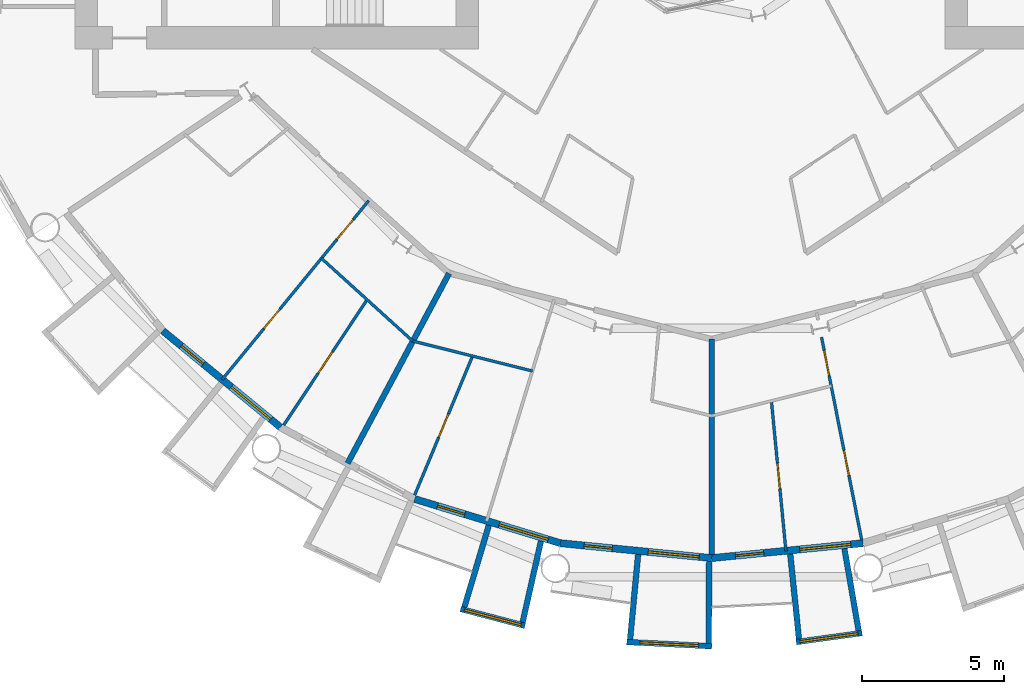
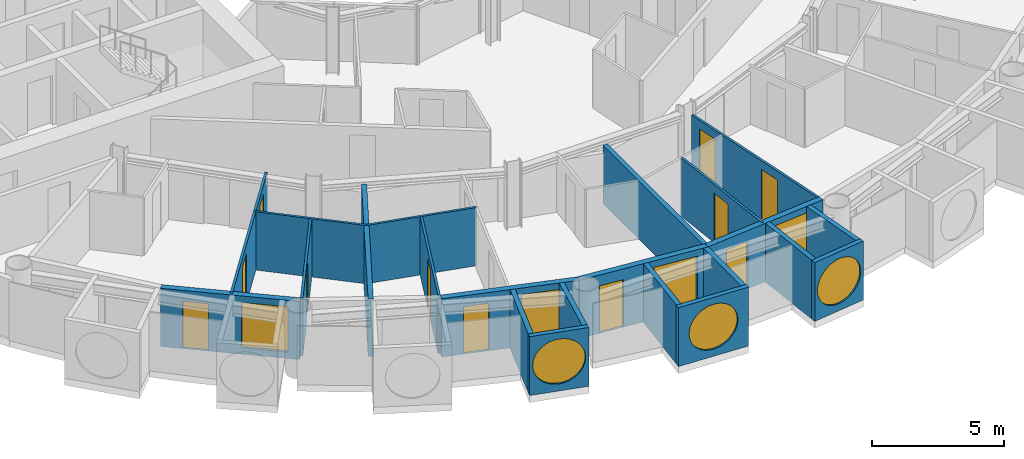
# One storey, part 13 of 26: 22 walls, 11 doors, 7 windows, 18 openings.
"""IFC4 building model written with IfcOpenShell, lengths in metres."""

from ifc_helpers import new_model, si_unit, direction, frame, frame_2d, origin, place, context, subcontext, project, spatial, rectangle, circle, extrude, material, layer, layer_set, type_object, element, fill, save


model = new_model("IFC4")

# Units and contexts
model_context = context("Model", 3, precision=1e-05, world=origin(), true_north=direction((0.0, 1.0)))
body_context = subcontext(model_context, "Body", "Model", "MODEL_VIEW")
ifc_project = project(units=[si_unit("LENGTHUNIT", "METRE"), si_unit("AREAUNIT", "SQUARE_METRE"), si_unit("VOLUMEUNIT", "CUBIC_METRE"), si_unit("PLANEANGLEUNIT", "RADIAN"), si_unit("MASSUNIT", "GRAM", prefix="KILO")], contexts=[model_context])

# Site, building, storey
site_placement = place(None, origin())
site = spatial("IfcSite", under=ifc_project, at=site_placement, CompositionType="ELEMENT")
building_placement = place(site_placement, origin())
building = spatial("IfcBuilding", under=site, at=building_placement, Name="Maasbend Ring Residences", CompositionType="ELEMENT")
storey_placement = place(building_placement, frame((0.0, 0.0, 31.949951171875)))
storey = spatial("IfcBuildingStorey", under=building, at=storey_placement, Name="L08", CompositionType="ELEMENT", Elevation=31.949951171875)

# Wall, opening, window
ifc_material_1 = material(Name="Pale anodised aluminium panel", Category="aluminium")
ifc_layer_1 = layer(ifc_material_1, 0.199951171875)
ifc_layer_set_1 = layer_set([ifc_layer_1], Name="EW-BOX")
wall_type_1 = type_object("IfcWallType", Name="EW-BOX", PredefinedType="SOLIDWALL", material=ifc_layer_set_1)
wall_1_placement = place(storey_placement, frame((-8.827880859375, -29.090087890625, -0.030029296875), z_axis=(0.0, 0.0, 1.0), x_axis=(0.967377102346, -0.253340762326, 0.0)))
wall_1 = element("IfcWall", 1, at=wall_1_placement, inside=storey, type_object=wall_type_1, Name="Box front S08", PredefinedType="SOLIDWALL", context=body_context, shape_type="SweptSolid", body=[
    extrude(rectangle(XDim=2.3359375, YDim=0.199951171875, at=frame_2d((1.16796875, 0.0))), origin(), (0.0, 0.0, 1.0), 2.72998046875),
])
opening_1_placement = place(wall_1_placement, frame((0.128173828125, 0.0, 0.330078125)))
opening_1 = element("IfcOpeningElement", 2, at=opening_1_placement, cuts=wall_1, Name="Opening W-RD", PredefinedType="OPENING", context=body_context, shape_type="SweptSolid", body=[
    extrude(circle(Radius=1.0400390625, at=frame_2d((1.0400390625, 1.0400390625))), frame((0.0, 0.10986328125, 0.0), z_axis=(0.0, -1.0, 0.0), x_axis=(1.0, 0.0, 0.0)), (0.0, 0.0, 1.0), 0.219970703125),
])
ifc_material_2 = material(Name="Aluminium and clear glass", Category="aluminium")
window_type_1 = type_object("IfcWindowType", Name="W-RD", PartitioningType="SINGLE_PANEL", PredefinedType="WINDOW", material=ifc_material_2)
window_1_placement = place(opening_1_placement, origin())
window_1 = element("IfcWindow", 3, at=window_1_placement, inside=storey, type_object=window_type_1, Name="Round window S08", OverallHeight=2.080078125, OverallWidth=2.080078125, PartitioningType="SINGLE_PANEL", PredefinedType="WINDOW", context=body_context, shape_type="SweptSolid", body=[
    extrude(circle(Radius=1.0400390625, at=frame_2d((1.0400390625, 1.0400390625))), frame((0.0, 0.030029296875, 0.0), z_axis=(0.0, -1.0, 0.0), x_axis=(1.0, 0.0, 0.0)), (0.0, 0.0, 1.0), 0.06005859375),
])
fill(opening_1, window_1)

# Walls
wall_2_placement = place(storey_placement, frame((-7.8369140625, -26.14404296875, -0.030029296875), z_axis=(0.0, 0.0, 1.0), x_axis=(-0.287064767992, -0.957911174889, 0.0)))
element("IfcWall", 4, at=wall_2_placement, inside=storey, type_object=wall_type_1, Name="Box side wall S08 left", PredefinedType="SOLIDWALL", context=body_context, shape_type="SweptSolid", body=[
    extrude(rectangle(XDim=3.00634765625, YDim=0.199951171875, at=frame_2d((1.503173828125, 0.0))), origin(), (0.0, 0.0, 1.0), 2.72998046875),
])
wall_3_placement = place(storey_placement, frame((-6.00390625, -26.699951171875, -0.030029296875), z_axis=(0.0, 0.0, 1.0), x_axis=(-0.219609259383, -0.975587911566, 0.0)))
element("IfcWall", 5, at=wall_3_placement, inside=storey, type_object=wall_type_1, Name="Box side wall S08 right", PredefinedType="SOLIDWALL", context=body_context, shape_type="SweptSolid", body=[
    extrude(rectangle(XDim=2.9326171875, YDim=0.199951171875, at=frame_2d((1.46630859375, 0.0))), origin(), (0.0, 0.0, 1.0), 2.72998046875),
])

# Wall, opening, window
wall_4_placement = place(storey_placement, frame((-2.985107421875, -30.2529296875, -0.030029296875), z_axis=(0.0, 0.0, 1.0), x_axis=(0.998794083011, -0.049095618353, 0.0)))
wall_4 = element("IfcWall", 6, at=wall_4_placement, inside=storey, type_object=wall_type_1, Name="Box front S10", PredefinedType="SOLIDWALL", context=body_context, shape_type="SweptSolid", body=[
    extrude(rectangle(XDim=2.99365234375, YDim=0.199951171875, at=frame_2d((1.496826171875, 0.0))), origin(), (0.0, 0.0, 1.0), 2.72998046875),
])
opening_2_placement = place(wall_4_placement, frame((0.45654296875, 0.0, 0.330078125)))
opening_2 = element("IfcOpeningElement", 7, at=opening_2_placement, cuts=wall_4, Name="Opening W-RD", PredefinedType="OPENING", context=body_context, shape_type="SweptSolid", body=[
    extrude(circle(Radius=1.0400390625, at=frame_2d((1.0400390625, 1.0400390625))), frame((0.0, 0.10986328125, 0.0), z_axis=(0.0, -1.0, 0.0), x_axis=(1.0, 0.0, 0.0)), (0.0, 0.0, 1.0), 0.219970703125),
])
window_2_placement = place(opening_2_placement, origin())
window_2 = element("IfcWindow", 8, at=window_2_placement, inside=storey, type_object=window_type_1, Name="Round window S10", OverallHeight=2.080078125, OverallWidth=2.080078125, PartitioningType="SINGLE_PANEL", PredefinedType="WINDOW", context=body_context, shape_type="SweptSolid", body=[
    extrude(circle(Radius=1.0400390625, at=frame_2d((1.0400390625, 1.0400390625))), frame((0.0, 0.030029296875, 0.0), z_axis=(0.0, -1.0, 0.0), x_axis=(1.0, 0.0, 0.0)), (0.0, 0.0, 1.0), 0.06005859375),
])
fill(opening_2, window_2)

# Walls
wall_5_placement = place(storey_placement, frame((-2.5859375, -27.1708984375, -0.030029296875), z_axis=(0.0, 0.0, 1.0), x_axis=(-0.094548432284, -0.995520262954, 0.0)))
element("IfcWall", 9, at=wall_5_placement, inside=storey, type_object=wall_type_1, Name="Box side wall S10 left", PredefinedType="SOLIDWALL", context=body_context, shape_type="SweptSolid", body=[
    extrude(rectangle(XDim=3.005615234375, YDim=0.199951171875, at=frame_2d((1.5029296875, 0.0))), origin(), (0.0, 0.0, 1.0), 2.72998046875),
])
wall_6_placement = place(storey_placement, frame((-0.090087890625, -27.4169921875, -0.030029296875), z_axis=(0.0, 0.0, 1.0), x_axis=(-0.00347308367, -0.999993968827, 0.0)))
element("IfcWall", 10, at=wall_6_placement, inside=storey, type_object=wall_type_1, Name="Box side wall S10 right", PredefinedType="SOLIDWALL", context=body_context, shape_type="SweptSolid", body=[
    extrude(rectangle(XDim=2.882080078125, YDim=0.199951171875, at=frame_2d((1.44091796875, 0.0))), origin(), (0.0, 0.0, 1.0), 2.72998046875),
])

# Wall, opening, window
wall_7_placement = place(storey_placement, frame((2.97607421875, -30.25390625, -0.030029296875), z_axis=(0.0, 0.0, 1.0), x_axis=(0.990696111261, 0.136092671119, 0.0)))
wall_7 = element("IfcWall", 11, at=wall_7_placement, inside=storey, type_object=wall_type_1, Name="Box front S12", PredefinedType="SOLIDWALL", context=body_context, shape_type="SweptSolid", body=[
    extrude(rectangle(XDim=2.335693359375, YDim=0.199951171875, at=frame_2d((1.16796875, 0.0))), origin(), (0.0, 0.0, 1.0), 2.72998046875),
])
opening_3_placement = place(wall_7_placement, frame((0.128173828125, 0.0, 0.330078125)))
opening_3 = element("IfcOpeningElement", 12, at=opening_3_placement, cuts=wall_7, Name="Opening W-RD", PredefinedType="OPENING", context=body_context, shape_type="SweptSolid", body=[
    extrude(circle(Radius=1.0400390625, at=frame_2d((1.0400390625, 1.0400390625))), frame((0.0, 0.10986328125, 0.0), z_axis=(0.0, -1.0, 0.0), x_axis=(1.0, 0.0, 0.0)), (0.0, 0.0, 1.0), 0.219970703125),
])
window_3_placement = place(opening_3_placement, origin())
window_3 = element("IfcWindow", 13, at=window_3_placement, inside=storey, type_object=window_type_1, Name="Round window S12", OverallHeight=2.080078125, OverallWidth=2.080078125, PartitioningType="SINGLE_PANEL", PredefinedType="WINDOW", context=body_context, shape_type="SweptSolid", body=[
    extrude(circle(Radius=1.0400390625, at=frame_2d((1.0400390625, 1.0400390625))), frame((0.0, 0.030029296875, 0.0), z_axis=(0.0, -1.0, 0.0), x_axis=(1.0, 0.0, 0.0)), (0.0, 0.0, 1.0), 0.06005859375),
])
fill(opening_3, window_3)

# Walls
wall_8_placement = place(storey_placement, frame((2.763916015625, -27.153076171875, -0.030029296875), z_axis=(0.0, 0.0, 1.0), x_axis=(0.101505487237, -0.994834979311, 0.0)))
element("IfcWall", 14, at=wall_8_placement, inside=storey, type_object=wall_type_1, Name="Box side wall S12 left", PredefinedType="SOLIDWALL", context=body_context, shape_type="SweptSolid", body=[
    extrude(rectangle(XDim=3.006591796875, YDim=0.199951171875, at=frame_2d((1.50341796875, 0.0))), origin(), (0.0, 0.0, 1.0), 2.72998046875),
])
wall_9_placement = place(storey_placement, frame((4.6708984375, -26.966064453125, -0.030029296875), z_axis=(0.0, 0.0, 1.0), x_axis=(0.170539878907, -0.985350774954, 0.0)))
element("IfcWall", 15, at=wall_9_placement, inside=storey, type_object=wall_type_1, Name="Box side wall S12 right", PredefinedType="SOLIDWALL", context=body_context, shape_type="SweptSolid", body=[
    extrude(rectangle(XDim=2.931884765625, YDim=0.199951171875, at=frame_2d((1.4658203125, 0.0))), origin(), (0.0, 0.0, 1.0), 2.72998046875),
])

# Wall, openings, door, window
ifc_material_3 = material(Name="Aluminium clad insulated panel", Category="aluminium")
ifc_layer_2 = layer(ifc_material_3, 0.25)
ifc_layer_set_2 = layer_set([ifc_layer_2], Name="EW-GL")
wall_type_2 = type_object("IfcWallType", Name="EW-GL", PredefinedType="SOLIDWALL", material=ifc_layer_set_2)
wall_10_placement = place(storey_placement, frame((-19.303955078125, -19.303955078125, 0.0), z_axis=(0.0, 0.0, 1.0), x_axis=(0.773019449054, -0.634382322723, 0.0)))
wall_10 = element("IfcWall", 16, at=wall_10_placement, inside=storey, type_object=wall_type_2, Name="External wall S02", PredefinedType="SOLIDWALL", context=body_context, shape_type="SweptSolid", body=[
    extrude(rectangle(XDim=5.351806640625, YDim=0.25, at=frame_2d((2.67578125, 0.0))), origin(), (0.0, 0.0, 1.0), 2.699951171875),
])
opening_4_placement = place(wall_10_placement, frame((0.841064453125, 0.0, 0.0)))
opening_4 = element("IfcOpeningElement", 17, at=opening_4_placement, cuts=wall_10, Name="Opening D-LG", PredefinedType="OPENING", context=body_context, shape_type="SweptSolid", body=[
    extrude(rectangle(XDim=1.0, YDim=2.199951171875, at=frame_2d((0.5, 1.10009765625))), frame((0.0, 0.135009765625, 0.0), z_axis=(0.0, -1.0, 0.0), x_axis=(1.0, 0.0, 0.0)), (0.0, 0.0, 1.0), 0.27001953125),
])
opening_5_placement = place(wall_10_placement, frame((3.110595703125, 0.0, 0.300048828125)))
opening_5 = element("IfcOpeningElement", 18, at=opening_5_placement, cuts=wall_10, Name="Opening W-BX", PredefinedType="OPENING", context=body_context, shape_type="SweptSolid", body=[
    extrude(rectangle(XDim=1.800048828125, YDim=2.10009765625, at=frame_2d((0.89990234375, 1.050048828125))), frame((0.0, 0.135009765625, 0.0), z_axis=(0.0, -1.0, 0.0), x_axis=(1.0, 0.0, 0.0)), (0.0, 0.0, 1.0), 0.27001953125),
])
ifc_material_4 = material(Name="Aluminium and clear glass", Category="aluminium")
door_type_1 = type_object("IfcDoorType", Name="D-LG", OperationType="SINGLE_SWING_LEFT", PredefinedType="DOOR", material=ifc_material_4)
door_1_placement = place(opening_4_placement, origin())
door_1 = element("IfcDoor", 19, at=door_1_placement, inside=storey, type_object=door_type_1, Name="Loggia door S03", OperationType="SINGLE_SWING_LEFT", OverallHeight=2.199951171875, OverallWidth=1.0, PredefinedType="DOOR", context=body_context, shape_type="SweptSolid", body=[
    extrude(rectangle(XDim=1.0, YDim=2.199951171875, at=frame_2d((0.5, 1.10009765625))), frame((0.0, 0.02490234375, 0.0), z_axis=(0.0, -1.0, 0.0), x_axis=(1.0, 0.0, 0.0)), (0.0, 0.0, 1.0), 0.050048828125),
])
fill(opening_4, door_1)
ifc_material_5 = material(Name="Aluminium and clear glass", Category="aluminium")
window_type_2 = type_object("IfcWindowType", Name="W-BX", PartitioningType="DOUBLE_PANEL_VERTICAL", PredefinedType="WINDOW", material=ifc_material_5)
window_4_placement = place(opening_5_placement, origin())
window_4 = element("IfcWindow", 20, at=window_4_placement, inside=storey, type_object=window_type_2, Name="Window S04 room to box", OverallHeight=2.10009765625, OverallWidth=1.800048828125, PartitioningType="SINGLE_PANEL", PredefinedType="WINDOW", context=body_context, shape_type="SweptSolid", body=[
    extrude(rectangle(XDim=1.800048828125, YDim=2.10009765625, at=frame_2d((0.89990234375, 1.050048828125))), frame((0.0, 0.030029296875, 0.0), z_axis=(0.0, -1.0, 0.0), x_axis=(1.0, 0.0, 0.0)), (0.0, 0.0, 1.0), 0.06005859375),
])
fill(opening_5, window_4)

wall_11_placement = place(storey_placement, frame((-10.447021484375, -25.221923828125, 0.0), z_axis=(0.0, 0.0, 1.0), x_axis=(0.956965678721, -0.290201119486, 0.0)))
wall_11 = element("IfcWall", 21, at=wall_11_placement, inside=storey, type_object=wall_type_2, Name="External wall S04", PredefinedType="SOLIDWALL", context=body_context, shape_type="SweptSolid", body=[
    extrude(rectangle(XDim=5.351318359375, YDim=0.25, at=frame_2d((2.67578125, 0.0))), origin(), (0.0, 0.0, 1.0), 2.699951171875),
])
opening_6_placement = place(wall_11_placement, frame((0.841064453125, 0.0, 0.0)))
opening_6 = element("IfcOpeningElement", 22, at=opening_6_placement, cuts=wall_11, Name="Opening D-LG", PredefinedType="OPENING", context=body_context, shape_type="SweptSolid", body=[
    extrude(rectangle(XDim=1.0, YDim=2.199951171875, at=frame_2d((0.5, 1.10009765625))), frame((0.0, 0.135009765625, 0.0), z_axis=(0.0, -1.0, 0.0), x_axis=(1.0, 0.0, 0.0)), (0.0, 0.0, 1.0), 0.27001953125),
])
opening_7_placement = place(wall_11_placement, frame((3.110595703125, 0.0, 0.300048828125)))
opening_7 = element("IfcOpeningElement", 23, at=opening_7_placement, cuts=wall_11, Name="Opening W-BX", PredefinedType="OPENING", context=body_context, shape_type="SweptSolid", body=[
    extrude(rectangle(XDim=1.800048828125, YDim=2.10009765625, at=frame_2d((0.89990234375, 1.050048828125))), frame((0.0, 0.135009765625, 0.0), z_axis=(0.0, -1.0, 0.0), x_axis=(1.0, 0.0, 0.0)), (0.0, 0.0, 1.0), 0.27001953125),
])
door_2_placement = place(opening_6_placement, origin())
door_2 = element("IfcDoor", 24, at=door_2_placement, inside=storey, type_object=door_type_1, Name="Loggia door S07", OperationType="SINGLE_SWING_LEFT", OverallHeight=2.199951171875, OverallWidth=1.0, PredefinedType="DOOR", context=body_context, shape_type="SweptSolid", body=[
    extrude(rectangle(XDim=1.0, YDim=2.199951171875, at=frame_2d((0.5, 1.10009765625))), frame((0.0, 0.02490234375, 0.0), z_axis=(0.0, -1.0, 0.0), x_axis=(1.0, 0.0, 0.0)), (0.0, 0.0, 1.0), 0.050048828125),
])
fill(opening_6, door_2)
window_5_placement = place(opening_7_placement, origin())
window_5 = element("IfcWindow", 25, at=window_5_placement, inside=storey, type_object=window_type_2, Name="Window S08 room to box", OverallHeight=2.10009765625, OverallWidth=1.800048828125, PartitioningType="SINGLE_PANEL", PredefinedType="WINDOW", context=body_context, shape_type="SweptSolid", body=[
    extrude(rectangle(XDim=1.800048828125, YDim=2.10009765625, at=frame_2d((0.89990234375, 1.050048828125))), frame((0.0, 0.030029296875, 0.0), z_axis=(0.0, -1.0, 0.0), x_axis=(1.0, 0.0, 0.0)), (0.0, 0.0, 1.0), 0.06005859375),
])
fill(opening_7, window_5)

wall_12_placement = place(storey_placement, frame((-5.325927734375, -26.77490234375, 0.0), z_axis=(0.0, 0.0, 1.0), x_axis=(0.995173996315, -0.098126026407, 0.0)))
wall_12 = element("IfcWall", 26, at=wall_12_placement, inside=storey, type_object=wall_type_2, Name="External wall S05", PredefinedType="SOLIDWALL", context=body_context, shape_type="SweptSolid", body=[
    extrude(rectangle(XDim=5.351806640625, YDim=0.25, at=frame_2d((2.67578125, 0.0))), origin(), (0.0, 0.0, 1.0), 2.699951171875),
])
opening_8_placement = place(wall_12_placement, frame((0.841064453125, 0.0, 0.0)))
opening_8 = element("IfcOpeningElement", 27, at=opening_8_placement, cuts=wall_12, Name="Opening D-LG", PredefinedType="OPENING", context=body_context, shape_type="SweptSolid", body=[
    extrude(rectangle(XDim=1.0, YDim=2.199951171875, at=frame_2d((0.5, 1.10009765625))), frame((0.0, 0.135009765625, 0.0), z_axis=(0.0, -1.0, 0.0), x_axis=(1.0, 0.0, 0.0)), (0.0, 0.0, 1.0), 0.27001953125),
])
opening_9_placement = place(wall_12_placement, frame((3.110595703125, 0.0, 0.300048828125)))
opening_9 = element("IfcOpeningElement", 28, at=opening_9_placement, cuts=wall_12, Name="Opening W-BX", PredefinedType="OPENING", context=body_context, shape_type="SweptSolid", body=[
    extrude(rectangle(XDim=1.800048828125, YDim=2.10009765625, at=frame_2d((0.89990234375, 1.050048828125))), frame((0.0, 0.135009765625, 0.0), z_axis=(0.0, -1.0, 0.0), x_axis=(1.0, 0.0, 0.0)), (0.0, 0.0, 1.0), 0.27001953125),
])
door_3_placement = place(opening_8_placement, origin())
door_3 = element("IfcDoor", 29, at=door_3_placement, inside=storey, type_object=door_type_1, Name="Loggia door S09", OperationType="SINGLE_SWING_LEFT", OverallHeight=2.199951171875, OverallWidth=1.0, PredefinedType="DOOR", context=body_context, shape_type="SweptSolid", body=[
    extrude(rectangle(XDim=1.0, YDim=2.199951171875, at=frame_2d((0.5, 1.10009765625))), frame((0.0, 0.02490234375, 0.0), z_axis=(0.0, -1.0, 0.0), x_axis=(1.0, 0.0, 0.0)), (0.0, 0.0, 1.0), 0.050048828125),
])
fill(opening_8, door_3)
window_6_placement = place(opening_9_placement, origin())
window_6 = element("IfcWindow", 30, at=window_6_placement, inside=storey, type_object=window_type_2, Name="Window S10 room to box", OverallHeight=2.10009765625, OverallWidth=1.800048828125, PartitioningType="SINGLE_PANEL", PredefinedType="WINDOW", context=body_context, shape_type="SweptSolid", body=[
    extrude(rectangle(XDim=1.800048828125, YDim=2.10009765625, at=frame_2d((0.89990234375, 1.050048828125))), frame((0.0, 0.030029296875, 0.0), z_axis=(0.0, -1.0, 0.0), x_axis=(1.0, 0.0, 0.0)), (0.0, 0.0, 1.0), 0.06005859375),
])
fill(opening_9, window_6)

wall_13_placement = place(storey_placement, frame((0.0, -27.300048828125, 0.0), z_axis=(0.0, 0.0, 1.0), x_axis=(0.995173996315, 0.098126026407, 0.0)))
wall_13 = element("IfcWall", 31, at=wall_13_placement, inside=storey, type_object=wall_type_2, Name="External wall S06", PredefinedType="SOLIDWALL", context=body_context, shape_type="SweptSolid", body=[
    extrude(rectangle(XDim=5.351806640625, YDim=0.25, at=frame_2d((2.67578125, 0.0))), origin(), (0.0, 0.0, 1.0), 2.699951171875),
])
opening_10_placement = place(wall_13_placement, frame((0.841064453125, 0.0, 0.0)))
opening_10 = element("IfcOpeningElement", 32, at=opening_10_placement, cuts=wall_13, Name="Opening D-LG", PredefinedType="OPENING", context=body_context, shape_type="SweptSolid", body=[
    extrude(rectangle(XDim=1.0, YDim=2.199951171875, at=frame_2d((0.5, 1.10009765625))), frame((0.0, 0.135009765625, 0.0), z_axis=(0.0, -1.0, 0.0), x_axis=(1.0, 0.0, 0.0)), (0.0, 0.0, 1.0), 0.27001953125),
])
opening_11_placement = place(wall_13_placement, frame((3.110595703125, 0.0, 0.300048828125)))
opening_11 = element("IfcOpeningElement", 33, at=opening_11_placement, cuts=wall_13, Name="Opening W-BX", PredefinedType="OPENING", context=body_context, shape_type="SweptSolid", body=[
    extrude(rectangle(XDim=1.800048828125, YDim=2.10009765625, at=frame_2d((0.89990234375, 1.050048828125))), frame((0.0, 0.135009765625, 0.0), z_axis=(0.0, -1.0, 0.0), x_axis=(1.0, 0.0, 0.0)), (0.0, 0.0, 1.0), 0.27001953125),
])
door_4_placement = place(opening_10_placement, origin())
door_4 = element("IfcDoor", 34, at=door_4_placement, inside=storey, type_object=door_type_1, Name="Loggia door S11", OperationType="SINGLE_SWING_LEFT", OverallHeight=2.199951171875, OverallWidth=1.0, PredefinedType="DOOR", context=body_context, shape_type="SweptSolid", body=[
    extrude(rectangle(XDim=1.0, YDim=2.199951171875, at=frame_2d((0.5, 1.10009765625))), frame((0.0, 0.02490234375, 0.0), z_axis=(0.0, -1.0, 0.0), x_axis=(1.0, 0.0, 0.0)), (0.0, 0.0, 1.0), 0.050048828125),
])
fill(opening_10, door_4)
window_7_placement = place(opening_11_placement, origin())
window_7 = element("IfcWindow", 35, at=window_7_placement, inside=storey, type_object=window_type_2, Name="Window S12 room to box", OverallHeight=2.10009765625, OverallWidth=1.800048828125, PartitioningType="SINGLE_PANEL", PredefinedType="WINDOW", context=body_context, shape_type="SweptSolid", body=[
    extrude(rectangle(XDim=1.800048828125, YDim=2.10009765625, at=frame_2d((0.89990234375, 1.050048828125))), frame((0.0, 0.030029296875, 0.0), z_axis=(0.0, -1.0, 0.0), x_axis=(1.0, 0.0, 0.0)), (0.0, 0.0, 1.0), 0.06005859375),
])
fill(opening_11, window_7)

# Walls
ifc_material_6 = material(Name="Gypsum board on steel studs", Category="steel")
ifc_layer_3 = layer(ifc_material_6, 0.10009765625)
ifc_layer_set_3 = layer_set([ifc_layer_3], Name="PARTITION 100 GYPSUM")
wall_type_3 = type_object("IfcWallType", Name="PARTITION 100 GYPSUM", PredefinedType="PARTITIONING", material=ifc_layer_set_3)
wall_14_placement = place(storey_placement, frame((-13.72705078125, -16.75390625, 0.0), z_axis=(0.0, 0.0, 1.0), x_axis=(0.740840803797, -0.671680655839, 0.0)))
element("IfcWall", 36, at=wall_14_placement, inside=storey, type_object=wall_type_3, Name="U-L08-w004", PredefinedType="PARTITIONING", context=body_context, shape_type="SweptSolid", body=[
    extrude(rectangle(XDim=4.33837890625, YDim=0.10009765625, at=frame_2d((2.169189453125, 0.0))), origin(), (0.0, 0.0, 1.0), 2.699951171875),
])
wall_15_placement = place(storey_placement, frame((-10.51611328125, -19.666015625, 0.0), z_axis=(0.0, 0.0, 1.0), x_axis=(0.97005315629, -0.242892721118, 0.0)))
element("IfcWall", 37, at=wall_15_placement, inside=storey, type_object=wall_type_3, Name="U-L08-w005", PredefinedType="PARTITIONING", context=body_context, shape_type="SweptSolid", body=[
    extrude(rectangle(XDim=4.34326171875, YDim=0.10009765625, at=frame_2d((2.171630859375, 0.0))), origin(), (0.0, 0.0, 1.0), 2.699951171875),
])

# Wall, openings, doors
wall_16_placement = place(storey_placement, frame((-17.218994140625, -21.02294921875, 0.0), z_axis=(0.0, 0.0, 1.0), x_axis=(0.633664062855, 0.773608334654, 0.0)))
wall_16 = element("IfcWall", 38, at=wall_16_placement, inside=storey, type_object=wall_type_3, Name="U-L08-w029", PredefinedType="PARTITIONING", context=body_context, shape_type="SweptSolid", body=[
    extrude(rectangle(XDim=8.138427734375, YDim=0.10009765625, at=frame_2d((4.0693359375, 0.0))), origin(), (0.0, 0.0, 1.0), 2.699951171875),
])
opening_12_placement = place(wall_16_placement, frame((6.376953125, 0.0, 0.0)))
opening_12 = element("IfcOpeningElement", 39, at=opening_12_placement, cuts=wall_16, Name="Opening D-0831", PredefinedType="OPENING", context=body_context, shape_type="SweptSolid", body=[
    extrude(rectangle(XDim=0.89990234375, YDim=2.300048828125, at=frame_2d((0.449951171875, 1.14990234375))), frame((0.0, 0.06005859375, 0.0), z_axis=(0.0, -1.0, 0.0), x_axis=(1.0, 0.0, 0.0)), (0.0, 0.0, 1.0), 0.1201171875),
])
opening_13_placement = place(wall_16_placement, frame((2.30810546875, 0.0, 0.0)))
opening_13 = element("IfcOpeningElement", 40, at=opening_13_placement, cuts=wall_16, Name="Opening D-0832", PredefinedType="OPENING", context=body_context, shape_type="SweptSolid", body=[
    extrude(rectangle(XDim=0.89990234375, YDim=2.300048828125, at=frame_2d((0.449951171875, 1.14990234375))), frame((0.0, 0.06005859375, 0.0), z_axis=(0.0, -1.0, 0.0), x_axis=(1.0, 0.0, 0.0)), (0.0, 0.0, 1.0), 0.1201171875),
])
ifc_material_7 = material(Name="Timber, painted", Category="wood")
door_type_2 = type_object("IfcDoorType", Name="INTERNAL DOOR 900 X 2300", OperationType="NOTDEFINED", PredefinedType="DOOR", material=ifc_material_7)
door_5_placement = place(opening_12_placement, origin())
door_5 = element("IfcDoor", 41, at=door_5_placement, inside=storey, type_object=door_type_2, Name="D-0831", OperationType="SINGLE_SWING_RIGHT", OverallHeight=2.300048828125, OverallWidth=0.89990234375, PredefinedType="DOOR", context=body_context, shape_type="SweptSolid", body=[
    extrude(rectangle(XDim=0.89990234375, YDim=2.300048828125, at=frame_2d((0.449951171875, 1.14990234375))), frame((0.0, 0.02490234375, 0.0), z_axis=(0.0, -1.0, 0.0), x_axis=(1.0, 0.0, 0.0)), (0.0, 0.0, 1.0), 0.050048828125),
])
fill(opening_12, door_5)
door_6_placement = place(opening_13_placement, origin())
door_6 = element("IfcDoor", 42, at=door_6_placement, inside=storey, type_object=door_type_2, Name="D-0832", OperationType="SINGLE_SWING_LEFT", OverallHeight=2.300048828125, OverallWidth=0.89990234375, PredefinedType="DOOR", context=body_context, shape_type="SweptSolid", body=[
    extrude(rectangle(XDim=0.89990234375, YDim=2.300048828125, at=frame_2d((0.449951171875, 1.14990234375))), frame((0.0, 0.02490234375, 0.0), z_axis=(0.0, -1.0, 0.0), x_axis=(1.0, 0.0, 0.0)), (0.0, 0.0, 1.0), 0.050048828125),
])
fill(opening_13, door_6)

# Wall, opening, door
wall_17_placement = place(storey_placement, frame((-15.053955078125, -22.6240234375, 0.0), z_axis=(0.0, 0.0, 1.0), x_axis=(0.553913391217, 0.832574294, 0.0)))
wall_17 = element("IfcWall", 43, at=wall_17_placement, inside=storey, type_object=wall_type_3, Name="U-L08-w033", PredefinedType="PARTITIONING", context=body_context, shape_type="SweptSolid", body=[
    extrude(rectangle(XDim=5.300537109375, YDim=0.10009765625, at=frame_2d((2.650390625, 0.0))), origin(), (0.0, 0.0, 1.0), 2.699951171875),
])
opening_14_placement = place(wall_17_placement, frame((2.199951171875, 0.0, 0.0)))
opening_14 = element("IfcOpeningElement", 44, at=opening_14_placement, cuts=wall_17, Name="Opening D-0833", PredefinedType="OPENING", context=body_context, shape_type="SweptSolid", body=[
    extrude(rectangle(XDim=0.89990234375, YDim=2.300048828125, at=frame_2d((0.449951171875, 1.14990234375))), frame((0.0, 0.06005859375, 0.0), z_axis=(0.0, -1.0, 0.0), x_axis=(1.0, 0.0, 0.0)), (0.0, 0.0, 1.0), 0.1201171875),
])
door_7_placement = place(opening_14_placement, origin())
door_7 = element("IfcDoor", 45, at=door_7_placement, inside=storey, type_object=door_type_2, Name="D-0833", OperationType="SINGLE_SWING_RIGHT", OverallHeight=2.300048828125, OverallWidth=0.89990234375, PredefinedType="DOOR", context=body_context, shape_type="SweptSolid", body=[
    extrude(rectangle(XDim=0.89990234375, YDim=2.300048828125, at=frame_2d((0.449951171875, 1.14990234375))), frame((0.0, 0.02490234375, 0.0), z_axis=(0.0, -1.0, 0.0), x_axis=(1.0, 0.0, 0.0)), (0.0, 0.0, 1.0), 0.050048828125),
])
fill(opening_14, door_7)

wall_18_placement = place(storey_placement, frame((-10.447021484375, -25.0859375, 0.0), z_axis=(0.0, 0.0, 1.0), x_axis=(0.384363513821, 0.923181828917, 0.0)))
wall_18 = element("IfcWall", 46, at=wall_18_placement, inside=storey, type_object=wall_type_3, Name="U-L08-w035", PredefinedType="PARTITIONING", context=body_context, shape_type="SweptSolid", body=[
    extrude(rectangle(XDim=5.300048828125, YDim=0.10009765625, at=frame_2d((2.64990234375, 0.0))), origin(), (0.0, 0.0, 1.0), 2.699951171875),
])
opening_15_placement = place(wall_18_placement, frame((2.199951171875, 0.0, 0.0)))
opening_15 = element("IfcOpeningElement", 47, at=opening_15_placement, cuts=wall_18, Name="Opening D-0838", PredefinedType="OPENING", context=body_context, shape_type="SweptSolid", body=[
    extrude(rectangle(XDim=0.89990234375, YDim=2.300048828125, at=frame_2d((0.449951171875, 1.14990234375))), frame((0.0, 0.06005859375, 0.0), z_axis=(0.0, -1.0, 0.0), x_axis=(1.0, 0.0, 0.0)), (0.0, 0.0, 1.0), 0.1201171875),
])
door_8_placement = place(opening_15_placement, origin())
door_8 = element("IfcDoor", 48, at=door_8_placement, inside=storey, type_object=door_type_2, Name="D-0838", OperationType="SINGLE_SWING_RIGHT", OverallHeight=2.300048828125, OverallWidth=0.89990234375, PredefinedType="DOOR", context=body_context, shape_type="SweptSolid", body=[
    extrude(rectangle(XDim=0.89990234375, YDim=2.300048828125, at=frame_2d((0.449951171875, 1.14990234375))), frame((0.0, 0.02490234375, 0.0), z_axis=(0.0, -1.0, 0.0), x_axis=(1.0, 0.0, 0.0)), (0.0, 0.0, 1.0), 0.050048828125),
])
fill(opening_15, door_8)

wall_19_placement = place(storey_placement, frame((2.10205078125, -21.77294921875, 0.0), z_axis=(0.0, 0.0, 1.0), x_axis=(0.096215269366, -0.995360548716, 0.0)))
wall_19 = element("IfcWall", 49, at=wall_19_placement, inside=storey, type_object=wall_type_3, Name="U-L08-w051", PredefinedType="PARTITIONING", context=body_context, shape_type="SweptSolid", body=[
    extrude(rectangle(XDim=5.30078125, YDim=0.10009765625, at=frame_2d((2.650390625, 0.0))), origin(), (0.0, 0.0, 1.0), 2.699951171875),
])
opening_16_placement = place(wall_19_placement, frame((2.199951171875, 0.0, 0.0)))
opening_16 = element("IfcOpeningElement", 50, at=opening_16_placement, cuts=wall_19, Name="Opening D-0843", PredefinedType="OPENING", context=body_context, shape_type="SweptSolid", body=[
    extrude(rectangle(XDim=0.89990234375, YDim=2.300048828125, at=frame_2d((0.449951171875, 1.14990234375))), frame((0.0, 0.06005859375, 0.0), z_axis=(0.0, -1.0, 0.0), x_axis=(1.0, 0.0, 0.0)), (0.0, 0.0, 1.0), 0.1201171875),
])
door_9_placement = place(opening_16_placement, origin())
door_9 = element("IfcDoor", 51, at=door_9_placement, inside=storey, type_object=door_type_2, Name="D-0843", OperationType="SINGLE_SWING_RIGHT", OverallHeight=2.300048828125, OverallWidth=0.89990234375, PredefinedType="DOOR", context=body_context, shape_type="SweptSolid", body=[
    extrude(rectangle(XDim=0.89990234375, YDim=2.300048828125, at=frame_2d((0.449951171875, 1.14990234375))), frame((0.0, 0.02490234375, 0.0), z_axis=(0.0, -1.0, 0.0), x_axis=(1.0, 0.0, 0.0)), (0.0, 0.0, 1.0), 0.050048828125),
])
fill(opening_16, door_9)

# Wall, openings, doors
wall_20_placement = place(storey_placement, frame((3.864990234375, -19.531005859375, 0.0), z_axis=(0.0, 0.0, 1.0), x_axis=(0.194196464481, -0.980962656365, 0.0)))
wall_20 = element("IfcWall", 52, at=wall_20_placement, inside=storey, type_object=wall_type_3, Name="U-L08-w055", PredefinedType="PARTITIONING", context=body_context, shape_type="SweptSolid", body=[
    extrude(rectangle(XDim=7.265380859375, YDim=0.10009765625, at=frame_2d((3.6328125, 0.0))), origin(), (0.0, 0.0, 1.0), 2.699951171875),
])
opening_17_placement = place(wall_20_placement, frame((0.47607421875, 0.0, 0.0)))
opening_17 = element("IfcOpeningElement", 53, at=opening_17_placement, cuts=wall_20, Name="Opening D-0841", PredefinedType="OPENING", context=body_context, shape_type="SweptSolid", body=[
    extrude(rectangle(XDim=0.89990234375, YDim=2.300048828125, at=frame_2d((0.449951171875, 1.14990234375))), frame((0.0, 0.06005859375, 0.0), z_axis=(0.0, -1.0, 0.0), x_axis=(1.0, 0.0, 0.0)), (0.0, 0.0, 1.0), 0.1201171875),
])
opening_18_placement = place(wall_20_placement, frame((4.05810546875, 0.0, 0.0)))
opening_18 = element("IfcOpeningElement", 54, at=opening_18_placement, cuts=wall_20, Name="Opening D-0842", PredefinedType="OPENING", context=body_context, shape_type="SweptSolid", body=[
    extrude(rectangle(XDim=0.89990234375, YDim=2.300048828125, at=frame_2d((0.449951171875, 1.14990234375))), frame((0.0, 0.06005859375, 0.0), z_axis=(0.0, -1.0, 0.0), x_axis=(1.0, 0.0, 0.0)), (0.0, 0.0, 1.0), 0.1201171875),
])
door_10_placement = place(opening_17_placement, origin())
door_10 = element("IfcDoor", 55, at=door_10_placement, inside=storey, type_object=door_type_2, Name="D-0841", OperationType="SINGLE_SWING_LEFT", OverallHeight=2.300048828125, OverallWidth=0.89990234375, PredefinedType="DOOR", context=body_context, shape_type="SweptSolid", body=[
    extrude(rectangle(XDim=0.89990234375, YDim=2.300048828125, at=frame_2d((0.449951171875, 1.14990234375))), frame((0.0, 0.02490234375, 0.0), z_axis=(0.0, -1.0, 0.0), x_axis=(1.0, 0.0, 0.0)), (0.0, 0.0, 1.0), 0.050048828125),
])
fill(opening_17, door_10)
door_11_placement = place(opening_18_placement, origin())
door_11 = element("IfcDoor", 56, at=door_11_placement, inside=storey, type_object=door_type_2, Name="D-0842", OperationType="SINGLE_SWING_RIGHT", OverallHeight=2.300048828125, OverallWidth=0.89990234375, PredefinedType="DOOR", context=body_context, shape_type="SweptSolid", body=[
    extrude(rectangle(XDim=0.89990234375, YDim=2.300048828125, at=frame_2d((0.449951171875, 1.14990234375))), frame((0.0, 0.02490234375, 0.0), z_axis=(0.0, -1.0, 0.0), x_axis=(1.0, 0.0, 0.0)), (0.0, 0.0, 1.0), 0.050048828125),
])
fill(opening_18, door_11)

# Walls
ifc_material_8 = material(Name="Concrete C30/37", Category="concrete")
ifc_layer_4 = layer(ifc_material_8, 0.199951171875)
ifc_layer_set_4 = layer_set([ifc_layer_4], Name="Concrete C30/37")
wall_type_4 = type_object("IfcWallType", Name="PARTY WALL 200 CONCRETE", PredefinedType="PARTITIONING", material=ifc_layer_set_4)
wall_21_placement = place(storey_placement, frame((-12.804931640625, -23.968017578125, 0.0), z_axis=(0.0, 0.0, 1.0), x_axis=(0.471173668908, 0.882040460369, 0.0)))
element("IfcWall", 57, at=wall_21_placement, inside=storey, type_object=wall_type_4, Name="U-L08-w034", PredefinedType="PARTITIONING", context=body_context, shape_type="SweptSolid", body=[
    extrude(rectangle(XDim=7.574462890625, YDim=0.199951171875, at=frame_2d((3.787109375, 0.0))), origin(), (0.0, 0.0, 1.0), 2.699951171875),
])
wall_22_placement = place(storey_placement, frame((0.0, -27.175048828125, 0.0), z_axis=(0.0, 0.0, 1.0), x_axis=(0.0, 1.0, 0.0)))
element("IfcWall", 58, at=wall_22_placement, inside=storey, type_object=wall_type_4, Name="U-L08-w048", PredefinedType="PARTITIONING", context=body_context, shape_type="SweptSolid", body=[
    extrude(rectangle(XDim=7.574951171875, YDim=0.199951171875, at=frame_2d((3.78759765625, 0.0))), origin(), (0.0, 0.0, 1.0), 2.699951171875),
])

save(model, "model.ifc")
